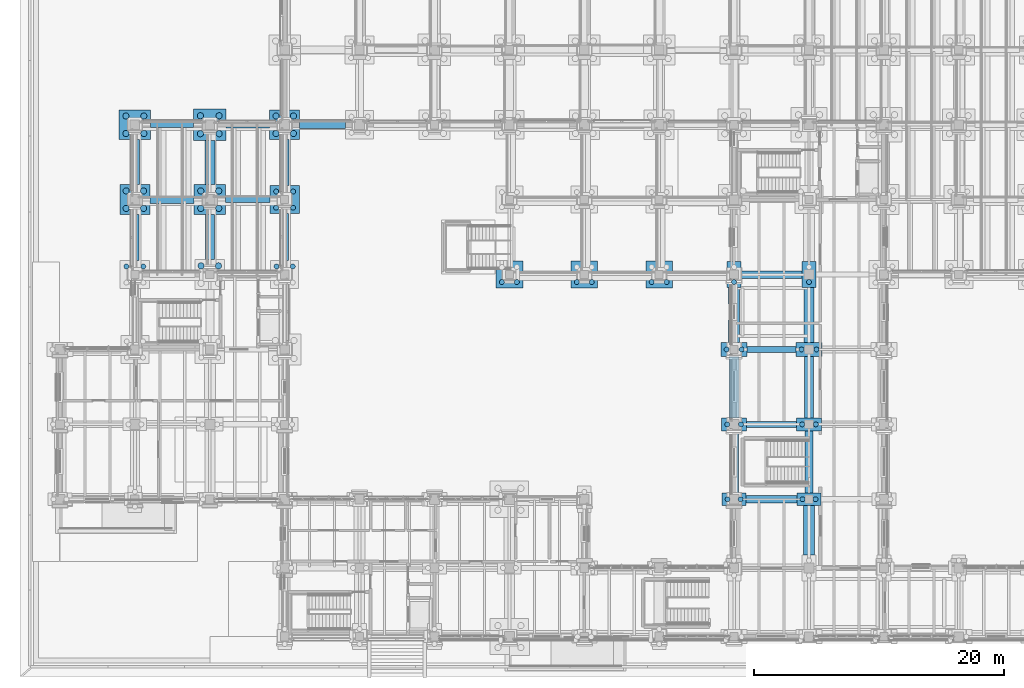
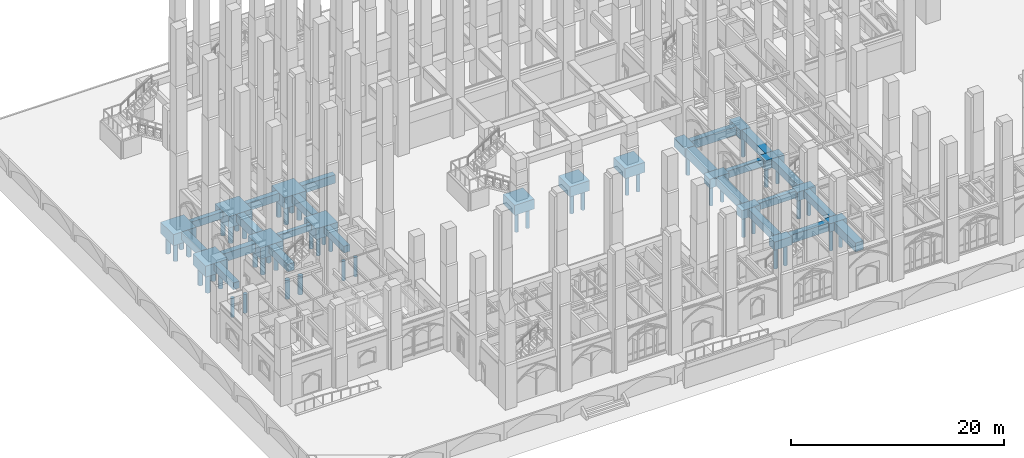
# One storey, part 3 of 135: 50 piles, 39 footings.
"""IFC4 building model written with IfcOpenShell, lengths in metres."""

import ifcopenshell
import ifcopenshell.guid

model = None  # the IFC model being written
_history = None  # IfcOwnerHistory: only IFC2X3 demands one
_inside = {}  # id of a spatial element -> (the spatial element, [elements in it])
_under = {}  # id of a project, library or spatial element -> (it, [spatial elements below it])
_declared = {}  # id of a project -> (the project, [libraries it declares])
_typed = {}  # id of a type object -> (the type object, [elements of that type])
_made_of = {}  # id of a material, layer set ... -> (it, [elements and type objects made of it])


def new_model(schema):
    """Start an empty IFC model of exactly this schema.

    Asked for "IFC4X3", IfcOpenShell would pick the latest addendum, in which some entities
    have other attributes; the version numbers below select the first issue.
    IFC2X3 requires an IfcOwnerHistory on every rooted entity: one is made here for all.
    """
    global model, _history
    if schema == "IFC4X3":
        model = ifcopenshell.file(schema_version=(4, 3, 0, 0))
    else:
        model = ifcopenshell.file(schema=schema)
    _inside.clear()
    _under.clear()
    _declared.clear()
    _typed.clear()
    _made_of.clear()
    _history = None
    if model.schema == "IFC2X3":
        org = make("IfcOrganization", Name="unknown")
        user = make(
            "IfcPersonAndOrganization",
            ThePerson=make("IfcPerson", FamilyName="unknown"),
            TheOrganization=org,
        )
        app = make(
            "IfcApplication",
            ApplicationDeveloper=org,
            Version="unknown",
            ApplicationFullName="unknown",
            ApplicationIdentifier="unknown",
        )
        _history = make(
            "IfcOwnerHistory",
            OwningUser=user,
            OwningApplication=app,
            ChangeAction="ADDED",
            CreationDate=0,
        )
    return model


def make(cls, **values):
    """One entity of the class cls with the attributes given. An attribute that is None is left unset."""
    return model.create_entity(
        cls, **{name: value for name, value in values.items() if value is not None}
    )


def rooted(cls, **values):
    """An entity with a GlobalId (a new one), such as an element, a storey or a relation."""
    return make(cls, GlobalId=ifcopenshell.guid.new(), OwnerHistory=_history, **values)


def si_unit(unit_type, name, prefix=None):
    """IfcSIUnit, for example si_unit("LENGTHUNIT", "METRE", prefix="MILLI")."""
    return make("IfcSIUnit", UnitType=unit_type, Prefix=prefix, Name=name)


def assignment(units):
    """IfcUnitAssignment: the units of a project."""
    return None if units is None else make("IfcUnitAssignment", Units=units)


def point(xyz):
    """IfcCartesianPoint."""
    return None if xyz is None else make("IfcCartesianPoint", Coordinates=xyz)


def direction(xyz):
    """IfcDirection."""
    return None if xyz is None else make("IfcDirection", DirectionRatios=xyz)


def frame(location, z_axis=None, x_axis=None):
    """IfcAxis2Placement3D, a coordinate frame: its origin and axes. An axis left out is left unset."""
    return make(
        "IfcAxis2Placement3D",
        Location=point(location),
        Axis=direction(z_axis),
        RefDirection=direction(x_axis),
    )


def frame_2d(location, x_axis=None):
    """IfcAxis2Placement2D, a coordinate frame in the plane: its origin and x axis."""
    return make(
        "IfcAxis2Placement2D", Location=point(location), RefDirection=direction(x_axis)
    )


def origin():
    """The frame at (0, 0, 0) with its axes left unset."""
    return frame((0.0, 0.0, 0.0))


def origin_2d():
    """The frame at (0, 0) in the plane with its x axis left unset."""
    return frame_2d((0.0, 0.0))


def place(relative_to, where):
    """IfcLocalPlacement: puts the frame where relative to a parent placement (None: the world)."""
    return make(
        "IfcLocalPlacement", PlacementRelTo=relative_to, RelativePlacement=where
    )


def context(
    kind, dimensions, precision=None, world=None, true_north=None, identifier=None
):
    """IfcGeometricRepresentationContext, for example the 3D "Model" context."""
    return make(
        "IfcGeometricRepresentationContext",
        ContextIdentifier=identifier,
        ContextType=kind,
        CoordinateSpaceDimension=dimensions,
        Precision=precision,
        WorldCoordinateSystem=world,
        TrueNorth=true_north,
    )


def subcontext(parent, identifier, kind, view, scale=None):
    """IfcGeometricRepresentationSubContext, for example "Body" below "Model"."""
    return make(
        "IfcGeometricRepresentationSubContext",
        ContextIdentifier=identifier,
        ContextType=kind,
        ParentContext=parent,
        TargetScale=scale,
        TargetView=view,
    )


def project(units=None, contexts=None):
    """IfcProject with its units and contexts."""
    return rooted(
        "IfcProject",
        Name="project",
        RepresentationContexts=contexts,
        UnitsInContext=assignment(units),
    )


def spatial(cls, under=None, at=None, **own):
    """A site, building, storey or space (cls), placed at a placement, below another one or the project."""
    s = rooted(cls, ObjectPlacement=at, **own)
    if under is not None:
        _under.setdefault(under.id(), (under, []))[1].append(s)
    return s


def polyline(points):
    """IfcPolyline through the points."""
    return make("IfcPolyline", Points=[point(p) for p in points])


def profile(cls, at=None, kind="AREA", **sizes):
    """A parametric profile (cls). Its sizes go by their IFC names, for example OverallWidth=200.0."""
    return make(cls, ProfileType=kind, Position=at, **sizes)


def rectangle(**sizes):
    """IfcRectangleProfileDef."""
    return profile("IfcRectangleProfileDef", **sizes)


def circle(**sizes):
    """IfcCircleProfileDef."""
    return profile("IfcCircleProfileDef", **sizes)


def outline(outer, holes=None, kind="AREA"):
    """IfcArbitraryClosedProfileDef: a profile drawn as a closed curve; with holes, ...WithVoids."""
    if holes is None:
        return make("IfcArbitraryClosedProfileDef", ProfileType=kind, OuterCurve=outer)
    return make(
        "IfcArbitraryProfileDefWithVoids",
        ProfileType=kind,
        OuterCurve=outer,
        InnerCurves=holes,
    )


def extrude(swept, where, along, depth):
    """IfcExtrudedAreaSolid: the profile swept, set in the frame where, extruded along a direction by depth."""
    return make(
        "IfcExtrudedAreaSolid",
        SweptArea=swept,
        Position=where,
        ExtrudedDirection=direction(along),
        Depth=depth,
    )


def shape(context_of_items, identifier, shape_type, items):
    """IfcShapeRepresentation: the items that make up one representation, for example the "Body"."""
    return make(
        "IfcShapeRepresentation",
        ContextOfItems=context_of_items,
        RepresentationIdentifier=identifier,
        RepresentationType=shape_type,
        Items=items,
    )


def material(Name=None, Category=None):
    """IfcMaterial."""
    return make("IfcMaterial", Name=Name, Category=Category)


def material_profile(
    of_material, cross_section, Name=None, Category=None, Priority=None
):
    """IfcMaterialProfile: a cross section and its material."""
    return make(
        "IfcMaterialProfile",
        Name=Name,
        Material=of_material,
        Profile=cross_section,
        Priority=Priority,
        Category=Category,
    )


def profile_set(profiles, Name=None, composite=None):
    """IfcMaterialProfileSet."""
    return make(
        "IfcMaterialProfileSet",
        Name=Name,
        MaterialProfiles=profiles,
        CompositeProfile=composite,
    )


def made_of(thing, what):
    """Note that an element or type object is made of a material, layer set ...; save() writes the relation."""
    if what is not None:
        _made_of.setdefault(what.id(), (what, []))[1].append(thing)
    return thing


def type_object(cls, material=None, **own):
    """A type object (cls), such as IfcWallType, which elements share."""
    return made_of(rooted(cls, **own), material)


def element(
    cls,
    number,
    at=None,
    inside=None,
    cuts=None,
    type_object=None,
    material=None,
    context=None,
    identifier="Body",
    shape_type=None,
    held_by="IfcProductDefinitionShape",
    body=None,
    shapes=None,
    **own,
):
    """One element of the class cls, such as IfcWall. Its Tag is "e" and its number.

    at: its placement. inside: the storey or other place that contains it. cuts: it is an
    opening in that element (IfcRelVoidsElement). A single representation is given by context,
    identifier, shape_type and body (its items); several are given by shapes. held_by: the class
    of the entity that holds the representations. save() writes the other relations.
    """
    e = rooted(cls, Tag="e%d" % number, ObjectPlacement=at, **own)
    if body is not None:
        shapes = [shape(context, identifier, shape_type, body)]
    if shapes is not None:
        e.Representation = make(held_by, Representations=shapes)
    if inside is not None:
        _inside.setdefault(inside.id(), (inside, []))[1].append(e)
    if cuts is not None:
        rooted(
            "IfcRelVoidsElement", RelatingBuildingElement=cuts, RelatedOpeningElement=e
        )
    if type_object is not None:
        _typed.setdefault(type_object.id(), (type_object, []))[1].append(e)
    return made_of(e, material)


def aggregate(whole, parts):
    """IfcRelAggregates: a whole, such as a stair, and the parts it consists of."""
    return rooted("IfcRelAggregates", RelatingObject=whole, RelatedObjects=parts)


def save(model, path):
    """Write the relations noted so far, then the file.

    IfcRelAggregates (storeys below a building ...), IfcRelContainedInSpatialStructure (elements
    in a storey), IfcRelDefinesByType, IfcRelAssociatesMaterial and IfcRelDeclares: one each for
    every whole, place, type object, material and project.
    """
    for whole, parts in _under.values():
        aggregate(whole, parts)
    for where, things in _inside.values():
        rooted(
            "IfcRelContainedInSpatialStructure",
            RelatedElements=things,
            RelatingStructure=where,
        )
    for kind, things in _typed.values():
        rooted("IfcRelDefinesByType", RelatedObjects=things, RelatingType=kind)
    for what, things in _made_of.values():
        rooted("IfcRelAssociatesMaterial", RelatedObjects=things, RelatingMaterial=what)
    for by, libraries in _declared.values():
        rooted("IfcRelDeclares", RelatingContext=by, RelatedDefinitions=libraries)
    model.write(path)


model = new_model("IFC4")

# Units and contexts
model_context = context("Model", 3, precision=1e-05, world=origin(), true_north=direction((0.0, 1.0)))
body_context = subcontext(model_context, "Body", "Model", "MODEL_VIEW")
ifc_project = project(units=[si_unit("LENGTHUNIT", "METRE"), si_unit("AREAUNIT", "SQUARE_METRE"), si_unit("VOLUMEUNIT", "CUBIC_METRE"), si_unit("PLANEANGLEUNIT", "RADIAN"), si_unit("MASSUNIT", "GRAM", prefix="KILO")], contexts=[model_context])

# Site, building, storey
site_placement = place(None, origin())
site = spatial("IfcSite", under=ifc_project, at=site_placement, CompositionType="ELEMENT")
building_placement = place(site_placement, origin())
building = spatial("IfcBuilding", under=site, at=building_placement, Name="Cumevento Cable Car Station", CompositionType="ELEMENT")
storey_placement = place(building_placement, origin())
storey = spatial("IfcBuildingStorey", under=building, at=storey_placement, Name="L01", CompositionType="ELEMENT", Elevation=0.0)

# Footings
ifc_material_1 = material(Name="Concrete C40/50", Category="concrete")
footing_type_1 = type_object("IfcFootingType", Name="Ground Beam GB-01 420x720", PredefinedType="FOOTING_BEAM", material=ifc_material_1)
footing_1_placement = place(storey_placement, frame((0.0, 0.0, -0.719970703125)))
element("IfcFooting", 1, at=footing_1_placement, inside=storey, type_object=footing_type_1, Name="Ground Tie Beam GB-01 #72", PredefinedType="FOOTING_BEAM", context=body_context, shape_type="SweptSolid", body=[
    extrude(outline(polyline([(17.251953125, 38.7900390625), (20.822998046875, 38.7900390625), (20.822998046875, 39.2099609375), (17.251953125, 39.2099609375), (17.251953125, 38.7900390625)])), origin(), (0.0, 0.0, 1.0), 0.719970703125),
])
ifc_material_2 = material(Name="Concrete C40/50", Category="concrete")
footing_type_2 = type_object("IfcFootingType", Name="Ground Beam GB-02 480x800", PredefinedType="FOOTING_BEAM", material=ifc_material_2)
footing_2_placement = place(storey_placement, frame((0.0, 0.0, -0.800048828125)))
element("IfcFooting", 2, at=footing_2_placement, inside=storey, type_object=footing_type_2, Name="Ground Tie Beam GB-02 #45", PredefinedType="FOOTING_BEAM", context=body_context, shape_type="SweptSolid", body=[
    extrude(outline(polyline([(59.001953125, 20.760009765625), (62.998046875, 20.760009765625), (62.998046875, 21.239990234375), (59.001953125, 21.239990234375), (59.001953125, 20.760009765625)])), origin(), (0.0, 0.0, 1.0), 0.800048828125),
])
footing_3_placement = place(storey_placement, frame((0.0, 0.0, -0.800048828125)))
element("IfcFooting", 3, at=footing_3_placement, inside=storey, type_object=footing_type_2, Name="Ground Tie Beam GB-02 #53", PredefinedType="FOOTING_BEAM", context=body_context, shape_type="SweptSolid", body=[
    extrude(outline(polyline([(59.052001953125, 26.760009765625), (62.947998046875, 26.760009765625), (62.947998046875, 27.239990234375), (59.052001953125, 27.239990234375), (59.052001953125, 26.760009765625)])), origin(), (0.0, 0.0, 1.0), 0.800048828125),
])
footing_4_placement = place(storey_placement, frame((0.0, 0.0, -0.800048828125)))
element("IfcFooting", 4, at=footing_4_placement, inside=storey, type_object=footing_type_2, Name="Ground Tie Beam GB-02 #85", PredefinedType="FOOTING_BEAM", context=body_context, shape_type="SweptSolid", body=[
    extrude(outline(polyline([(11.251953125, 44.760009765625), (14.697998046875, 44.760009765625), (14.697998046875, 45.239990234375), (11.251953125, 45.239990234375), (11.251953125, 44.760009765625)])), origin(), (0.0, 0.0, 1.0), 0.800048828125),
])
ifc_material_3 = material(Name="Concrete C40/50", Category="concrete")
footing_type_3 = type_object("IfcFootingType", Name="Ground Beam GB-03 540x880", PredefinedType="FOOTING_BEAM", material=ifc_material_3)
footing_5_placement = place(storey_placement, frame((0.0, 0.0, -0.8798828125)))
element("IfcFooting", 5, at=footing_5_placement, inside=storey, type_object=footing_type_3, Name="Ground Tie Beam GB-03 #86", PredefinedType="FOOTING_BEAM", context=body_context, shape_type="SweptSolid", body=[
    extrude(outline(polyline([(17.302001953125, 44.72998046875), (20.798095703125, 44.72998046875), (20.798095703125, 45.27001953125), (17.302001953125, 45.27001953125), (17.302001953125, 44.72998046875)])), origin(), (0.0, 0.0, 1.0), 0.8798828125),
])
ifc_material_4 = material(Name="Concrete C40/50", Category="concrete")
footing_type_4 = type_object("IfcFootingType", Name="Ground Beam GB-04 600x960", PredefinedType="FOOTING_BEAM", material=ifc_material_4)
footing_6_placement = place(storey_placement, frame((0.0, 0.0, -0.9599609375)))
element("IfcFooting", 6, at=footing_6_placement, inside=storey, type_object=footing_type_4, Name="Ground Tie Beam GB-04 #35", PredefinedType="FOOTING_BEAM", context=body_context, shape_type="SweptSolid", body=[
    extrude(outline(polyline([(58.951904296875, 14.699951171875), (63.048095703125, 14.699951171875), (63.048095703125, 15.300048828125), (58.951904296875, 15.300048828125), (58.951904296875, 14.699951171875)])), origin(), (0.0, 0.0, 1.0), 0.9599609375),
])
footing_7_placement = place(storey_placement, frame((0.0, 0.0, -0.9599609375)))
element("IfcFooting", 7, at=footing_7_placement, inside=storey, type_object=footing_type_4, Name="Ground Tie Beam GB-04 #59", PredefinedType="FOOTING_BEAM", context=body_context, shape_type="SweptSolid", body=[
    extrude(outline(polyline([(58.552001953125, 32.699951171875), (63.447998046875, 32.699951171875), (63.447998046875, 33.300048828125), (58.552001953125, 33.300048828125), (58.552001953125, 32.699951171875)])), origin(), (0.0, 0.0, 1.0), 0.9599609375),
])
footing_8_placement = place(storey_placement, frame((0.0, 0.0, -0.9599609375)))
element("IfcFooting", 8, at=footing_8_placement, inside=storey, type_object=footing_type_4, Name="Ground Tie Beam GB-04 #71", PredefinedType="FOOTING_BEAM", context=body_context, shape_type="SweptSolid", body=[
    extrude(outline(polyline([(11.201904296875, 38.699951171875), (14.748046875, 38.699951171875), (14.748046875, 39.300048828125), (11.201904296875, 39.300048828125), (11.201904296875, 38.699951171875)])), origin(), (0.0, 0.0, 1.0), 0.9599609375),
])
footing_9_placement = place(storey_placement, frame((0.0, 0.0, -0.9599609375)))
element("IfcFooting", 9, at=footing_9_placement, inside=storey, type_object=footing_type_4, Name="Ground Tie Beam GB-04 #87", PredefinedType="FOOTING_BEAM", context=body_context, shape_type="SweptSolid", body=[
    extrude(outline(polyline([(23.201904296875, 44.699951171875), (26.873046875, 44.699951171875), (26.873046875, 45.300048828125), (23.201904296875, 45.300048828125), (23.201904296875, 44.699951171875)])), origin(), (0.0, 0.0, 1.0), 0.9599609375),
])

# Piles
ifc_material_5 = material(Name="Concrete C40/50", Category="concrete")
ifc_material_profile_1 = material_profile(ifc_material_5, circle(Radius=0.199951171875, at=origin_2d()), Name="PILE-D400")
ifc_profile_set_1 = profile_set([ifc_material_profile_1], Name="Concrete C40/50")
pile_type_1 = type_object("IfcPileType", Name="PILE-BORED-400", PredefinedType="BORED", material=ifc_profile_set_1)
for number, where, z_axis, x_axis, name in (
    (10, (9.320068359375, 33.64990234375, -1.219970703125), (0.0, 0.0, -1.0), (1.0, 0.0, 0.0), "Bored Pile PL-400 #17"),
    (11, (10.679931640625, 33.64990234375, -1.219970703125), (0.0, 0.0, -1.0), (1.0, 0.0, 0.0), "Bored Pile PL-400 #18"),
):
    element("IfcPile", number, at=place(storey_placement, frame(where, z_axis=z_axis, x_axis=x_axis)), inside=storey, type_object=pile_type_1, Name=name, PredefinedType="BORED", context=body_context, shape_type="SweptSolid", body=[
        extrude(circle(Radius=0.199951171875, at=origin_2d()), origin(), (0.0, 0.0, 1.0), 2.179931640625),
    ])
for number, where, z_axis, x_axis, name in (
    (12, (21.35009765625, 33.64990234375, -1.199951171875), (0.0, 0.0, -1.0), (1.0, 0.0, 0.0), "Bored Pile PL-400 #61"),
    (13, (22.64990234375, 33.64990234375, -1.199951171875), (0.0, 0.0, -1.0), (1.0, 0.0, 0.0), "Bored Pile PL-400 #62"),
):
    element("IfcPile", number, at=place(storey_placement, frame(where, z_axis=z_axis, x_axis=x_axis)), inside=storey, type_object=pile_type_1, Name=name, PredefinedType="BORED", context=body_context, shape_type="SweptSolid", body=[
        extrude(circle(Radius=0.199951171875, at=origin_2d()), origin(), (0.0, 0.0, 1.0), 2.199951171875),
    ])
for number, where, z_axis, x_axis, name in (
    (14, (21.320068359375, 38.35009765625, -1.219970703125), (0.0, 0.0, -1.0), (1.0, 0.0, 0.0), "Bored Pile PL-400 #63"),
    (15, (22.679931640625, 38.35009765625, -1.219970703125), (0.0, 0.0, -1.0), (1.0, 0.0, 0.0), "Bored Pile PL-400 #64"),
    (16, (21.320068359375, 39.64990234375, -1.219970703125), (0.0, 0.0, -1.0), (1.0, 0.0, 0.0), "Bored Pile PL-400 #65"),
    (17, (22.679931640625, 39.64990234375, -1.219970703125), (0.0, 0.0, -1.0), (1.0, 0.0, 0.0), "Bored Pile PL-400 #66"),
):
    element("IfcPile", number, at=place(storey_placement, frame(where, z_axis=z_axis, x_axis=x_axis)), inside=storey, type_object=pile_type_1, Name=name, PredefinedType="BORED", context=body_context, shape_type="SweptSolid", body=[
        extrude(circle(Radius=0.199951171875, at=origin_2d()), origin(), (0.0, 0.0, 1.0), 2.179931640625),
    ])
for number, where, z_axis, x_axis, name in (
    (18, (57.47998046875, 15.0, -0.949951171875), (0.0, 0.0, -1.0), (1.0, 0.0, 0.0), "Bored Pile PL-400 #207"),
    (19, (58.52001953125, 15.0, -0.949951171875), (0.0, 0.0, -1.0), (1.0, 0.0, 0.0), "Bored Pile PL-400 #208"),
):
    element("IfcPile", number, at=place(storey_placement, frame(where, z_axis=z_axis, x_axis=x_axis)), inside=storey, type_object=pile_type_1, Name=name, PredefinedType="BORED", context=body_context, shape_type="SweptSolid", body=[
        extrude(circle(Radius=0.199951171875, at=origin_2d()), origin(), (0.0, 0.0, 1.0), 2.449951171875),
    ])
for number, where, z_axis, x_axis, name in (
    (20, (57.449951171875, 21.0, -1.0), (0.0, 0.0, -1.0), (1.0, 0.0, 0.0), "Bored Pile PL-400 #209"),
    (21, (58.550048828125, 21.0, -1.0), (0.0, 0.0, -1.0), (1.0, 0.0, 0.0), "Bored Pile PL-400 #210"),
):
    element("IfcPile", number, at=place(storey_placement, frame(where, z_axis=z_axis, x_axis=x_axis)), inside=storey, type_object=pile_type_1, Name=name, PredefinedType="BORED", context=body_context, shape_type="SweptSolid", body=[
        extrude(circle(Radius=0.199951171875, at=origin_2d()), origin(), (0.0, 0.0, 1.0), 2.39990234375),
    ])
for number, where, z_axis, x_axis, name in (
    (22, (57.39990234375, 27.0, -1.050048828125), (0.0, 0.0, -1.0), (1.0, 0.0, 0.0), "Bored Pile PL-400 #211"),
    (23, (58.60009765625, 27.0, -1.050048828125), (0.0, 0.0, -1.0), (1.0, 0.0, 0.0), "Bored Pile PL-400 #212"),
    (24, (58.0, 32.39990234375, -1.050048828125), (0.0, 0.0, -1.0), (1.0, 0.0, 0.0), "Bored Pile PL-400 #213"),
):
    element("IfcPile", number, at=place(storey_placement, frame(where, z_axis=z_axis, x_axis=x_axis)), inside=storey, type_object=pile_type_1, Name=name, PredefinedType="BORED", context=body_context, shape_type="SweptSolid", body=[
        extrude(circle(Radius=0.199951171875, at=origin_2d()), origin(), (0.0, 0.0, 1.0), 2.35009765625),
    ])
for number, where, z_axis, x_axis, name in (
    (25, (63.47998046875, 15.0, -0.949951171875), (0.0, 0.0, -1.0), (1.0, 0.0, 0.0), "Bored Pile PL-400 #243"),
    (26, (64.52001953125, 15.0, -0.949951171875), (0.0, 0.0, -1.0), (1.0, 0.0, 0.0), "Bored Pile PL-400 #244"),
):
    element("IfcPile", number, at=place(storey_placement, frame(where, z_axis=z_axis, x_axis=x_axis)), inside=storey, type_object=pile_type_1, Name=name, PredefinedType="BORED", context=body_context, shape_type="SweptSolid", body=[
        extrude(circle(Radius=0.199951171875, at=origin_2d()), origin(), (0.0, 0.0, 1.0), 2.449951171875),
    ])
for number, where, z_axis, x_axis, name in (
    (27, (63.449951171875, 21.0, -1.0), (0.0, 0.0, -1.0), (1.0, 0.0, 0.0), "Bored Pile PL-400 #245"),
    (28, (64.550048828125, 21.0, -1.0), (0.0, 0.0, -1.0), (1.0, 0.0, 0.0), "Bored Pile PL-400 #246"),
):
    element("IfcPile", number, at=place(storey_placement, frame(where, z_axis=z_axis, x_axis=x_axis)), inside=storey, type_object=pile_type_1, Name=name, PredefinedType="BORED", context=body_context, shape_type="SweptSolid", body=[
        extrude(circle(Radius=0.199951171875, at=origin_2d()), origin(), (0.0, 0.0, 1.0), 2.39990234375),
    ])
for number, where, z_axis, x_axis, name in (
    (29, (63.39990234375, 27.0, -1.050048828125), (0.0, 0.0, -1.0), (1.0, 0.0, 0.0), "Bored Pile PL-400 #247"),
    (30, (64.60009765625, 27.0, -1.050048828125), (0.0, 0.0, -1.0), (1.0, 0.0, 0.0), "Bored Pile PL-400 #248"),
    (31, (64.0, 32.39990234375, -1.050048828125), (0.0, 0.0, -1.0), (1.0, 0.0, 0.0), "Bored Pile PL-400 #249"),
):
    element("IfcPile", number, at=place(storey_placement, frame(where, z_axis=z_axis, x_axis=x_axis)), inside=storey, type_object=pile_type_1, Name=name, PredefinedType="BORED", context=body_context, shape_type="SweptSolid", body=[
        extrude(circle(Radius=0.199951171875, at=origin_2d()), origin(), (0.0, 0.0, 1.0), 2.35009765625),
    ])
for number, where, z_axis, x_axis, name in (
    (32, (39.39990234375, 32.39990234375, -1.14990234375), (0.0, 0.0, -1.0), (1.0, 0.0, 0.0), "Bored Pile PL-400 Ext #17"),
    (33, (40.60009765625, 32.39990234375, -1.14990234375), (0.0, 0.0, -1.0), (1.0, 0.0, 0.0), "Bored Pile PL-400 Ext #18"),
    (34, (45.39990234375, 32.39990234375, -1.14990234375), (0.0, 0.0, -1.0), (1.0, 0.0, 0.0), "Bored Pile PL-400 Ext #25"),
    (35, (46.60009765625, 32.39990234375, -1.14990234375), (0.0, 0.0, -1.0), (1.0, 0.0, 0.0), "Bored Pile PL-400 Ext #26"),
    (36, (51.39990234375, 32.39990234375, -1.14990234375), (0.0, 0.0, -1.0), (1.0, 0.0, 0.0), "Bored Pile PL-400 Ext #33"),
    (37, (52.60009765625, 32.39990234375, -1.14990234375), (0.0, 0.0, -1.0), (1.0, 0.0, 0.0), "Bored Pile PL-400 Ext #34"),
):
    element("IfcPile", number, at=place(storey_placement, frame(where, z_axis=z_axis, x_axis=x_axis)), inside=storey, type_object=pile_type_1, Name=name, PredefinedType="BORED", context=body_context, shape_type="SweptSolid", body=[
        extrude(circle(Radius=0.199951171875, at=origin_2d()), origin(), (0.0, 0.0, 1.0), 2.25),
    ])
ifc_material_6 = material(Name="Concrete C40/50", Category="concrete")
ifc_material_profile_2 = material_profile(ifc_material_6, circle(Radius=0.25, at=origin_2d()), Name="PILE-D500")
ifc_profile_set_2 = profile_set([ifc_material_profile_2], Name="Concrete C40/50")
pile_type_2 = type_object("IfcPileType", Name="PILE-BORED-500", PredefinedType="BORED", material=ifc_profile_set_2)
for number, where, z_axis, x_axis, name in (
    (38, (9.300048828125, 38.300048828125, -1.25), (0.0, 0.0, -1.0), (1.0, 0.0, 0.0), "Bored Pile PL-500 #19"),
    (39, (10.699951171875, 38.300048828125, -1.25), (0.0, 0.0, -1.0), (1.0, 0.0, 0.0), "Bored Pile PL-500 #20"),
    (40, (9.300048828125, 39.699951171875, -1.25), (0.0, 0.0, -1.0), (1.0, 0.0, 0.0), "Bored Pile PL-500 #21"),
    (41, (10.699951171875, 39.699951171875, -1.25), (0.0, 0.0, -1.0), (1.0, 0.0, 0.0), "Bored Pile PL-500 #22"),
):
    element("IfcPile", number, at=place(storey_placement, frame(where, z_axis=z_axis, x_axis=x_axis)), inside=storey, type_object=pile_type_2, Name=name, PredefinedType="BORED", context=body_context, shape_type="SweptSolid", body=[
        extrude(circle(Radius=0.25, at=origin_2d()), origin(), (0.0, 0.0, 1.0), 2.14990234375),
    ])
for number, where, z_axis, x_axis, name in (
    (42, (9.280029296875, 44.300048828125, -1.280029296875), (0.0, 0.0, -1.0), (1.0, 0.0, 0.0), "Bored Pile PL-500 #23"),
    (43, (10.719970703125, 44.300048828125, -1.280029296875), (0.0, 0.0, -1.0), (1.0, 0.0, 0.0), "Bored Pile PL-500 #24"),
    (44, (9.280029296875, 45.699951171875, -1.280029296875), (0.0, 0.0, -1.0), (1.0, 0.0, 0.0), "Bored Pile PL-500 #25"),
    (45, (10.719970703125, 45.699951171875, -1.280029296875), (0.0, 0.0, -1.0), (1.0, 0.0, 0.0), "Bored Pile PL-500 #26"),
):
    element("IfcPile", number, at=place(storey_placement, frame(where, z_axis=z_axis, x_axis=x_axis)), inside=storey, type_object=pile_type_2, Name=name, PredefinedType="BORED", context=body_context, shape_type="SweptSolid", body=[
        extrude(circle(Radius=0.25, at=origin_2d()), origin(), (0.0, 0.0, 1.0), 2.1201171875),
    ])
for number, where, z_axis, x_axis, name in (
    (46, (15.300048828125, 33.699951171875, -1.25), (0.0, 0.0, -1.0), (1.0, 0.0, 0.0), "Bored Pile PL-500 #37"),
    (47, (16.699951171875, 33.699951171875, -1.25), (0.0, 0.0, -1.0), (1.0, 0.0, 0.0), "Bored Pile PL-500 #38"),
):
    element("IfcPile", number, at=place(storey_placement, frame(where, z_axis=z_axis, x_axis=x_axis)), inside=storey, type_object=pile_type_2, Name=name, PredefinedType="BORED", context=body_context, shape_type="SweptSolid", body=[
        extrude(circle(Radius=0.25, at=origin_2d()), origin(), (0.0, 0.0, 1.0), 2.14990234375),
    ])
for number, where, z_axis, x_axis, name in (
    (48, (15.280029296875, 38.300048828125, -1.280029296875), (0.0, 0.0, -1.0), (1.0, 0.0, 0.0), "Bored Pile PL-500 #39"),
    (49, (16.719970703125, 38.300048828125, -1.280029296875), (0.0, 0.0, -1.0), (1.0, 0.0, 0.0), "Bored Pile PL-500 #40"),
    (50, (15.280029296875, 39.699951171875, -1.280029296875), (0.0, 0.0, -1.0), (1.0, 0.0, 0.0), "Bored Pile PL-500 #41"),
    (51, (16.719970703125, 39.699951171875, -1.280029296875), (0.0, 0.0, -1.0), (1.0, 0.0, 0.0), "Bored Pile PL-500 #42"),
):
    element("IfcPile", number, at=place(storey_placement, frame(where, z_axis=z_axis, x_axis=x_axis)), inside=storey, type_object=pile_type_2, Name=name, PredefinedType="BORED", context=body_context, shape_type="SweptSolid", body=[
        extrude(circle(Radius=0.25, at=origin_2d()), origin(), (0.0, 0.0, 1.0), 2.1201171875),
    ])
for number, where, z_axis, x_axis, name in (
    (52, (15.25, 44.280029296875, -1.300048828125), (0.0, 0.0, -1.0), (1.0, 0.0, 0.0), "Bored Pile PL-500 #43"),
    (53, (16.75, 44.280029296875, -1.300048828125), (0.0, 0.0, -1.0), (1.0, 0.0, 0.0), "Bored Pile PL-500 #44"),
    (54, (15.25, 45.719970703125, -1.300048828125), (0.0, 0.0, -1.0), (1.0, 0.0, 0.0), "Bored Pile PL-500 #45"),
    (55, (16.75, 45.719970703125, -1.300048828125), (0.0, 0.0, -1.0), (1.0, 0.0, 0.0), "Bored Pile PL-500 #46"),
):
    element("IfcPile", number, at=place(storey_placement, frame(where, z_axis=z_axis, x_axis=x_axis)), inside=storey, type_object=pile_type_2, Name=name, PredefinedType="BORED", context=body_context, shape_type="SweptSolid", body=[
        extrude(circle(Radius=0.25, at=origin_2d()), origin(), (0.0, 0.0, 1.0), 2.10009765625),
    ])
for number, where, z_axis, x_axis, name in (
    (56, (21.300048828125, 44.300048828125, -1.25), (0.0, 0.0, -1.0), (1.0, 0.0, 0.0), "Bored Pile PL-500 #67"),
    (57, (22.699951171875, 44.300048828125, -1.25), (0.0, 0.0, -1.0), (1.0, 0.0, 0.0), "Bored Pile PL-500 #68"),
    (58, (21.300048828125, 45.699951171875, -1.25), (0.0, 0.0, -1.0), (1.0, 0.0, 0.0), "Bored Pile PL-500 #69"),
    (59, (22.699951171875, 45.699951171875, -1.25), (0.0, 0.0, -1.0), (1.0, 0.0, 0.0), "Bored Pile PL-500 #70"),
):
    element("IfcPile", number, at=place(storey_placement, frame(where, z_axis=z_axis, x_axis=x_axis)), inside=storey, type_object=pile_type_2, Name=name, PredefinedType="BORED", context=body_context, shape_type="SweptSolid", body=[
        extrude(circle(Radius=0.25, at=origin_2d()), origin(), (0.0, 0.0, 1.0), 2.14990234375),
    ])

# Footings
ifc_material_7 = material(Name="Concrete C40/50", Category="concrete")
footing_type_5 = type_object("IfcFootingType", Name="Pile Cap PC-01 1900x1000x950", PredefinedType="PILE_CAP", material=ifc_material_7)
for number, where, z_axis, x_axis, name in (
    (60, (58.0, 15.0, -0.9501953125), (0.0, 0.0, 1.0), (1.0, 0.0, 0.0), "Pile Cap PC-01 at (58.0,15.0)"),
    (61, (64.0, 15.0, -0.9501953125), (0.0, 0.0, 1.0), (1.0, 0.0, 0.0), "Pile Cap PC-01 at (64.0,15.0)"),
):
    element("IfcFooting", number, at=place(storey_placement, frame(where, z_axis=z_axis, x_axis=x_axis)), inside=storey, type_object=footing_type_5, Name=name, PredefinedType="PILE_CAP", context=body_context, shape_type="SweptSolid", body=[
        extrude(rectangle(XDim=1.89990234375, YDim=1.0, at=origin_2d()), origin(), (0.0, 0.0, 1.0), 0.949951171875),
    ])
ifc_material_8 = material(Name="Concrete C40/50", Category="concrete")
footing_type_6 = type_object("IfcFootingType", Name="Pile Cap PC-02 2000x1050x1000", PredefinedType="PILE_CAP", material=ifc_material_8)
for number, where, z_axis, x_axis, name in (
    (62, (58.0, 21.0, -1.0), (0.0, 0.0, 1.0), (1.0, 0.0, 0.0), "Pile Cap PC-02 at (58.0,21.0)"),
    (63, (64.0, 21.0, -1.0), (0.0, 0.0, 1.0), (1.0, 0.0, 0.0), "Pile Cap PC-02 at (64.0,21.0)"),
):
    element("IfcFooting", number, at=place(storey_placement, frame(where, z_axis=z_axis, x_axis=x_axis)), inside=storey, type_object=footing_type_6, Name=name, PredefinedType="PILE_CAP", context=body_context, shape_type="SweptSolid", body=[
        extrude(rectangle(XDim=2.0, YDim=1.050048828125, at=origin_2d()), origin(), (0.0, 0.0, 1.0), 1.0),
    ])
ifc_material_9 = material(Name="Concrete C40/50", Category="concrete")
footing_type_7 = type_object("IfcFootingType", Name="Pile Cap PC-03 2100x1100x1050", PredefinedType="PILE_CAP", material=ifc_material_9)
for number, where, z_axis, x_axis, name in (
    (64, (58.0, 27.0, -1.0498046875), (0.0, 0.0, 1.0), (1.0, 0.0, 0.0), "Pile Cap PC-03 at (58.0,27.0)"),
    (65, (64.0, 27.0, -1.0498046875), (0.0, 0.0, 1.0), (1.0, 0.0, 0.0), "Pile Cap PC-03 at (64.0,27.0)"),
):
    element("IfcFooting", number, at=place(storey_placement, frame(where, z_axis=z_axis, x_axis=x_axis)), inside=storey, type_object=footing_type_7, Name=name, PredefinedType="PILE_CAP", context=body_context, shape_type="SweptSolid", body=[
        extrude(rectangle(XDim=2.10009765625, YDim=1.10009765625, at=origin_2d()), origin(), (0.0, 0.0, 1.0), 1.050048828125),
    ])
ifc_material_10 = material(Name="Concrete C40/50", Category="concrete")
footing_type_8 = type_object("IfcFootingType", Name="Pile Cap PC-04 1100x2100x1050", PredefinedType="PILE_CAP", material=ifc_material_10)
for number, where, z_axis, x_axis, name in (
    (66, (58.0, 33.0, -1.0498046875), (0.0, 0.0, 1.0), (1.0, 0.0, 0.0), "Pile Cap PC-04 at (58.0,33.0)"),
    (67, (64.0, 33.0, -1.0498046875), (0.0, 0.0, 1.0), (1.0, 0.0, 0.0), "Pile Cap PC-04 at (64.0,33.0)"),
):
    element("IfcFooting", number, at=place(storey_placement, frame(where, z_axis=z_axis, x_axis=x_axis)), inside=storey, type_object=footing_type_8, Name=name, PredefinedType="PILE_CAP", context=body_context, shape_type="SweptSolid", body=[
        extrude(rectangle(XDim=1.10009765625, YDim=2.10009765625, at=origin_2d()), origin(), (0.0, 0.0, 1.0), 1.050048828125),
    ])
ifc_material_11 = material(Name="Concrete C40/50", Category="concrete")
footing_type_9 = type_object("IfcFootingType", Name="Pile Cap PC-06 2150x2150x1150", PredefinedType="PILE_CAP", material=ifc_material_11)
for number, where, z_axis, x_axis, name in (
    (68, (40.0, 33.0, -1.14990234375), (0.0, 0.0, 1.0), (1.0, 0.0, 0.0), "Pile Cap PC-06 at (40.0,33.0)"),
    (69, (46.0, 33.0, -1.14990234375), (0.0, 0.0, 1.0), (1.0, 0.0, 0.0), "Pile Cap PC-06 at (46.0,33.0)"),
    (70, (52.0, 33.0, -1.14990234375), (0.0, 0.0, 1.0), (1.0, 0.0, 0.0), "Pile Cap PC-06 at (52.0,33.0)"),
):
    element("IfcFooting", number, at=place(storey_placement, frame(where, z_axis=z_axis, x_axis=x_axis)), inside=storey, type_object=footing_type_9, Name=name, PredefinedType="PILE_CAP", context=body_context, shape_type="SweptSolid", body=[
        extrude(rectangle(XDim=2.14990234375, YDim=2.14990234375, at=origin_2d()), origin(), (0.0, 0.0, 1.0), 1.14990234375),
    ])
ifc_material_12 = material(Name="Concrete C40/50", Category="concrete")
footing_type_10 = type_object("IfcFootingType", Name="Pile Cap PC-08 2350x2250x1220", PredefinedType="PILE_CAP", material=ifc_material_12)
footing_10_placement = place(storey_placement, frame((22.0, 39.0, -1.22021484375), z_axis=(0.0, 0.0, 1.0), x_axis=(1.0, 0.0, 0.0)))
element("IfcFooting", 71, at=footing_10_placement, inside=storey, type_object=footing_type_10, Name="Pile Cap PC-08 at (22.0,39.0)", PredefinedType="PILE_CAP", context=body_context, shape_type="SweptSolid", body=[
    extrude(rectangle(XDim=2.35009765625, YDim=2.25, at=origin_2d()), origin(), (0.0, 0.0, 1.0), 1.219970703125),
])
ifc_material_13 = material(Name="Concrete C40/50", Category="concrete")
footing_type_11 = type_object("IfcFootingType", Name="Pile Cap PC-09 2400x2400x1250", PredefinedType="PILE_CAP", material=ifc_material_13)
for number, where, z_axis, x_axis, name in (
    (72, (10.0, 39.0, -1.25), (0.0, 0.0, 1.0), (1.0, 0.0, 0.0), "Pile Cap PC-09 at (10.0,39.0)"),
    (73, (22.0, 45.0, -1.25), (0.0, 0.0, 1.0), (1.0, 0.0, 0.0), "Pile Cap PC-09 at (22.0,45.0)"),
):
    element("IfcFooting", number, at=place(storey_placement, frame(where, z_axis=z_axis, x_axis=x_axis)), inside=storey, type_object=footing_type_11, Name=name, PredefinedType="PILE_CAP", context=body_context, shape_type="SweptSolid", body=[
        extrude(rectangle(XDim=2.39990234375, YDim=2.39990234375, at=origin_2d()), origin(), (0.0, 0.0, 1.0), 1.25),
    ])
ifc_material_14 = material(Name="Concrete C40/50", Category="concrete")
footing_type_12 = type_object("IfcFootingType", Name="Pile Cap PC-10 2500x2400x1280", PredefinedType="PILE_CAP", material=ifc_material_14)
for number, where, z_axis, x_axis, name in (
    (74, (10.0, 45.0, -1.27978515625), (0.0, 0.0, 1.0), (1.0, 0.0, 0.0), "Pile Cap PC-10 at (10.0,45.0)"),
    (75, (16.0, 39.0, -1.27978515625), (0.0, 0.0, 1.0), (1.0, 0.0, 0.0), "Pile Cap PC-10 at (16.0,39.0)"),
):
    element("IfcFooting", number, at=place(storey_placement, frame(where, z_axis=z_axis, x_axis=x_axis)), inside=storey, type_object=footing_type_12, Name=name, PredefinedType="PILE_CAP", context=body_context, shape_type="SweptSolid", body=[
        extrude(rectangle(XDim=2.5, YDim=2.39990234375, at=origin_2d()), origin(), (0.0, 0.0, 1.0), 1.280029296875),
    ])
ifc_material_15 = material(Name="Concrete C40/50", Category="concrete")
footing_type_13 = type_object("IfcFootingType", Name="Pile Cap PC-11 2600x2500x1300", PredefinedType="PILE_CAP", material=ifc_material_15)
footing_11_placement = place(storey_placement, frame((16.0, 45.0, -1.2998046875), z_axis=(0.0, 0.0, 1.0), x_axis=(1.0, 0.0, 0.0)))
element("IfcFooting", 76, at=footing_11_placement, inside=storey, type_object=footing_type_13, Name="Pile Cap PC-11 at (16.0,45.0)", PredefinedType="PILE_CAP", context=body_context, shape_type="SweptSolid", body=[
    extrude(rectangle(XDim=2.60009765625, YDim=2.5, at=origin_2d()), origin(), (0.0, 0.0, 1.0), 1.300048828125),
])
ifc_material_16 = material(Name="Concrete C40/50", Category="concrete")
footing_type_14 = type_object("IfcFootingType", Name="Strip Footing SF-01 640x780", PredefinedType="STRIP_FOOTING", material=ifc_material_16)
footing_12_placement = place(storey_placement, frame((0.0, 0.0, -0.780029296875)))
element("IfcFooting", 77, at=footing_12_placement, inside=storey, type_object=footing_type_14, Name="Strip Footing SF-01 #164", PredefinedType="STRIP_FOOTING", context=body_context, shape_type="SweptSolid", body=[
    extrude(outline(polyline([(9.679931640625, 34.126953125), (10.320068359375, 34.126953125), (10.320068359375, 37.798095703125), (9.679931640625, 37.798095703125), (9.679931640625, 34.126953125)])), origin(), (0.0, 0.0, 1.0), 0.780029296875),
])
footing_13_placement = place(storey_placement, frame((0.0, 0.0, -0.780029296875)))
element("IfcFooting", 78, at=footing_13_placement, inside=storey, type_object=footing_type_14, Name="Strip Footing SF-01 #176", PredefinedType="STRIP_FOOTING", context=body_context, shape_type="SweptSolid", body=[
    extrude(outline(polyline([(21.679931640625, 34.126953125), (22.320068359375, 34.126953125), (22.320068359375, 37.873046875), (21.679931640625, 37.873046875), (21.679931640625, 34.126953125)])), origin(), (0.0, 0.0, 1.0), 0.780029296875),
])
footing_14_placement = place(storey_placement, frame((0.0, 0.0, -0.780029296875)))
element("IfcFooting", 79, at=footing_14_placement, inside=storey, type_object=footing_type_14, Name="Strip Footing SF-01 #220", PredefinedType="STRIP_FOOTING", context=body_context, shape_type="SweptSolid", body=[
    extrude(outline(polyline([(63.679931640625, 15.501953125), (64.320068359375, 15.501953125), (64.320068359375, 20.472900390625), (63.679931640625, 20.472900390625), (63.679931640625, 15.501953125)])), origin(), (0.0, 0.0, 1.0), 0.780029296875),
])
ifc_material_17 = material(Name="Concrete C40/50", Category="concrete")
footing_type_15 = type_object("IfcFootingType", Name="Strip Footing SF-02 720x860", PredefinedType="STRIP_FOOTING", material=ifc_material_17)
footing_15_placement = place(storey_placement, frame((0.0, 0.0, -0.860107421875)))
element("IfcFooting", 80, at=footing_15_placement, inside=storey, type_object=footing_type_15, Name="Strip Footing SF-02 #165", PredefinedType="STRIP_FOOTING", context=body_context, shape_type="SweptSolid", body=[
    extrude(outline(polyline([(9.639892578125, 40.201904296875), (10.360107421875, 40.201904296875), (10.360107421875, 43.798095703125), (9.639892578125, 43.798095703125), (9.639892578125, 40.201904296875)])), origin(), (0.0, 0.0, 1.0), 0.860107421875),
])
footing_16_placement = place(storey_placement, frame((0.0, 0.0, -0.860107421875)))
element("IfcFooting", 81, at=footing_16_placement, inside=storey, type_object=footing_type_15, Name="Strip Footing SF-02 #169", PredefinedType="STRIP_FOOTING", context=body_context, shape_type="SweptSolid", body=[
    extrude(outline(polyline([(15.639892578125, 34.201904296875), (16.360107421875, 34.201904296875), (16.360107421875, 37.798095703125), (15.639892578125, 37.798095703125), (15.639892578125, 34.201904296875)])), origin(), (0.0, 0.0, 1.0), 0.860107421875),
])
footing_17_placement = place(storey_placement, frame((0.0, 0.0, -0.860107421875)))
element("IfcFooting", 82, at=footing_17_placement, inside=storey, type_object=footing_type_15, Name="Strip Footing SF-02 #177", PredefinedType="STRIP_FOOTING", context=body_context, shape_type="SweptSolid", body=[
    extrude(outline(polyline([(21.639892578125, 40.126953125), (22.360107421875, 40.126953125), (22.360107421875, 43.798095703125), (21.639892578125, 43.798095703125), (21.639892578125, 40.126953125)])), origin(), (0.0, 0.0, 1.0), 0.860107421875),
])
footing_18_placement = place(storey_placement, frame((0.0, 0.0, -0.860107421875)))
element("IfcFooting", 83, at=footing_18_placement, inside=storey, type_object=footing_type_15, Name="Strip Footing SF-02 #209", PredefinedType="STRIP_FOOTING", context=body_context, shape_type="SweptSolid", body=[
    extrude(outline(polyline([(57.639892578125, 15.501953125), (58.360107421875, 15.501953125), (58.360107421875, 20.472900390625), (57.639892578125, 20.472900390625), (57.639892578125, 15.501953125)])), origin(), (0.0, 0.0, 1.0), 0.860107421875),
])
footing_19_placement = place(storey_placement, frame((0.0, 0.0, -0.860107421875)))
element("IfcFooting", 84, at=footing_19_placement, inside=storey, type_object=footing_type_15, Name="Strip Footing SF-02 #221", PredefinedType="STRIP_FOOTING", context=body_context, shape_type="SweptSolid", body=[
    extrude(outline(polyline([(63.639892578125, 21.527099609375), (64.360107421875, 21.527099609375), (64.360107421875, 26.447998046875), (63.639892578125, 26.447998046875), (63.639892578125, 21.527099609375)])), origin(), (0.0, 0.0, 1.0), 0.860107421875),
])
ifc_material_18 = material(Name="Concrete C40/50", Category="concrete")
footing_type_16 = type_object("IfcFootingType", Name="Strip Footing SF-03 800x940", PredefinedType="STRIP_FOOTING", material=ifc_material_18)
footing_20_placement = place(storey_placement, frame((0.0, 0.0, -0.93994140625)))
element("IfcFooting", 85, at=footing_20_placement, inside=storey, type_object=footing_type_16, Name="Strip Footing SF-03 #170", PredefinedType="STRIP_FOOTING", context=body_context, shape_type="SweptSolid", body=[
    extrude(outline(polyline([(15.60009765625, 40.201904296875), (16.39990234375, 40.201904296875), (16.39990234375, 43.748046875), (15.60009765625, 43.748046875), (15.60009765625, 40.201904296875)])), origin(), (0.0, 0.0, 1.0), 0.93994140625),
])
footing_21_placement = place(storey_placement, frame((0.0, 0.0, -0.93994140625)))
element("IfcFooting", 86, at=footing_21_placement, inside=storey, type_object=footing_type_16, Name="Strip Footing SF-03 #210", PredefinedType="STRIP_FOOTING", context=body_context, shape_type="SweptSolid", body=[
    extrude(outline(polyline([(57.60009765625, 21.527099609375), (58.39990234375, 21.527099609375), (58.39990234375, 26.447998046875), (57.60009765625, 26.447998046875), (57.60009765625, 21.527099609375)])), origin(), (0.0, 0.0, 1.0), 0.93994140625),
])
footing_22_placement = place(storey_placement, frame((0.0, 0.0, -0.93994140625)))
element("IfcFooting", 87, at=footing_22_placement, inside=storey, type_object=footing_type_16, Name="Strip Footing SF-03 #222", PredefinedType="STRIP_FOOTING", context=body_context, shape_type="SweptSolid", body=[
    extrude(outline(polyline([(63.60009765625, 27.552001953125), (64.39990234375, 27.552001953125), (64.39990234375, 31.947998046875), (63.60009765625, 31.947998046875), (63.60009765625, 27.552001953125)])), origin(), (0.0, 0.0, 1.0), 0.93994140625),
])
ifc_material_19 = material(Name="Concrete C40/50", Category="concrete")
footing_type_17 = type_object("IfcFootingType", Name="Strip Footing SF-04 880x1020", PredefinedType="STRIP_FOOTING", material=ifc_material_19)
footing_23_placement = place(storey_placement, frame((0.0, 0.0, -1.02001953125)))
element("IfcFooting", 88, at=footing_23_placement, inside=storey, type_object=footing_type_17, Name="Strip Footing SF-04 #211", PredefinedType="STRIP_FOOTING", context=body_context, shape_type="SweptSolid", body=[
    extrude(outline(polyline([(57.56005859375, 27.552001953125), (58.43994140625, 27.552001953125), (58.43994140625, 31.947998046875), (57.56005859375, 31.947998046875), (57.56005859375, 27.552001953125)])), origin(), (0.0, 0.0, 1.0), 1.02001953125),
])
footing_24_placement = place(storey_placement, frame((0.0, 0.0, -1.02001953125)))
element("IfcFooting", 89, at=footing_24_placement, inside=storey, type_object=footing_type_17, Name="Strip Footing SF-04 #219", PredefinedType="STRIP_FOOTING", context=body_context, shape_type="SweptSolid", body=[
    extrude(outline(polyline([(63.56005859375, 10.552001953125), (64.43994140625, 10.552001953125), (64.43994140625, 14.498046875), (63.56005859375, 14.498046875), (63.56005859375, 10.552001953125)])), origin(), (0.0, 0.0, 1.0), 1.02001953125),
])

save(model, "model.ifc")
